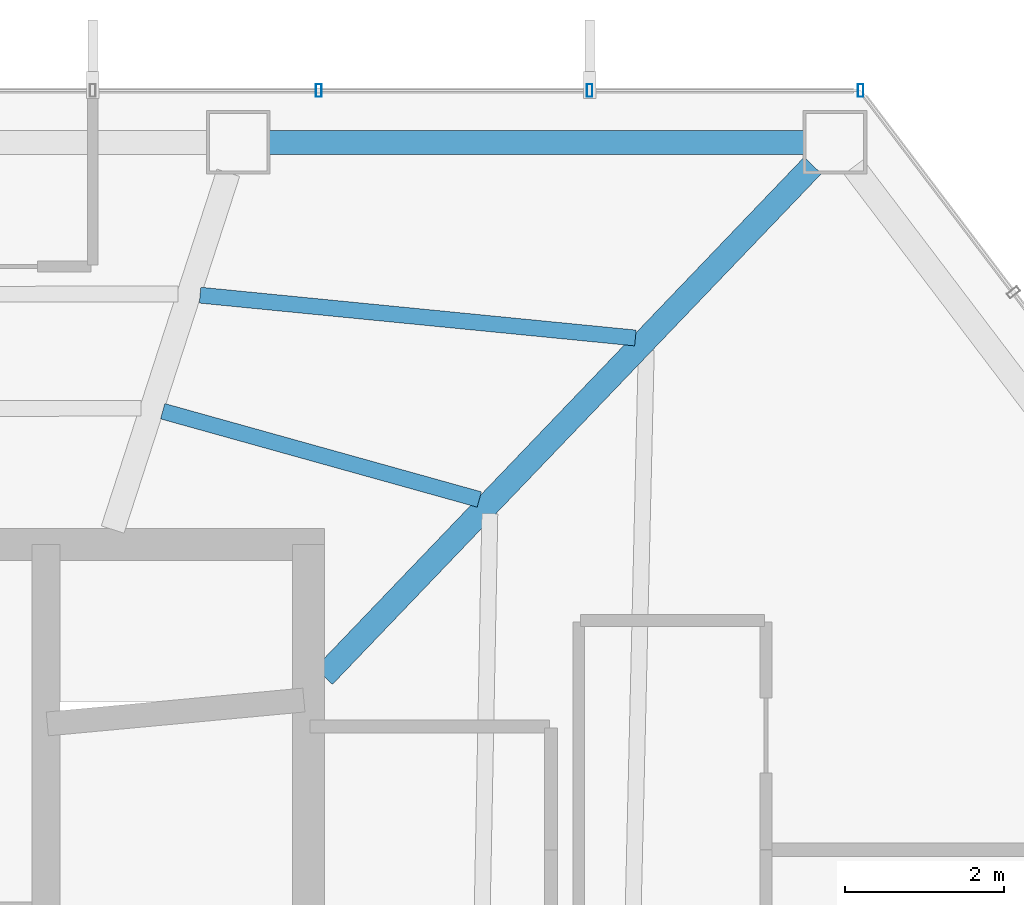
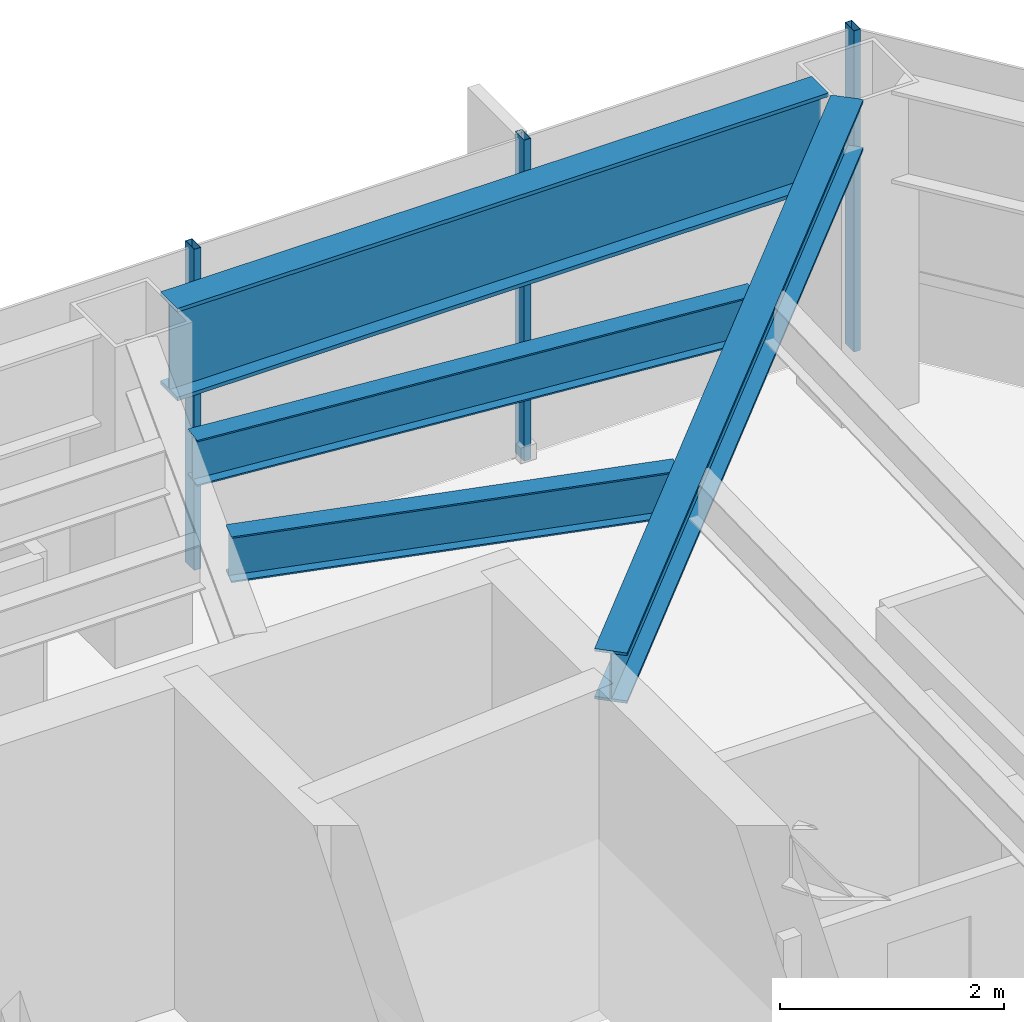
# One storey, part 22 of 29: 4 beams, 3 members, 1 element without a shape of its own.
"""IFC4 building model written with IfcOpenShell, lengths in metres."""

from ifc_helpers import new_model, si_unit, direction, frame, origin, origin_2d, place, context, subcontext, project, spatial, hollow_rectangle, i_section, extrude, material, layer, layer_set, material_profile, profile_set, type_object, element, aggregate, save


model = new_model("IFC4")

# Units and contexts
model_context = context("Model", 3, precision=1e-05, world=origin(), true_north=direction((0.0, 1.0)))
body_context = subcontext(model_context, "Body", "Model", "MODEL_VIEW")
ifc_project = project(units=[si_unit("LENGTHUNIT", "METRE"), si_unit("AREAUNIT", "SQUARE_METRE"), si_unit("VOLUMEUNIT", "CUBIC_METRE"), si_unit("PLANEANGLEUNIT", "RADIAN"), si_unit("MASSUNIT", "GRAM", prefix="KILO")], contexts=[model_context])

# Site, building, storey
site_placement = place(None, origin())
site = spatial("IfcSite", under=ifc_project, at=site_placement, CompositionType="ELEMENT")
building_placement = place(site_placement, origin())
building = spatial("IfcBuilding", under=site, at=building_placement, Name="Zarrinselat Tower", CompositionType="ELEMENT")
storey_placement = place(building_placement, frame((0.0, 0.0, 134.639892578125)))
storey = spatial("IfcBuildingStorey", under=building, at=storey_placement, Name="L32", CompositionType="ELEMENT", Elevation=134.639892578125)

# Beams
ifc_material_1 = material(Name="Steel S355J2", Category="steel")
ifc_material_profile_1 = material_profile(ifc_material_1, i_section(OverallWidth=0.300048828125, OverallDepth=0.550048828125, WebThickness=0.014892578125, FlangeThickness=0.029052734375, at=origin_2d()), Name="HEB 550")
ifc_profile_set_1 = profile_set([ifc_material_profile_1], Name="Steel S355J2")
beam_type_1 = type_object("IfcBeamType", Name="BM-HEB550", PredefinedType="BEAM", material=ifc_profile_set_1)
beam_1_placement = place(storey_placement, frame((48.449951171875, 41.800048828125, 3.22509765625), z_axis=(0.691574247742, 0.722305378535, 0.0), x_axis=(-0.722305378535, 0.691574247742, 0.0)))
element("IfcBeam", 1, at=beam_1_placement, inside=storey, type_object=beam_type_1, Name="L32 Radial Primary Girder RG01", PredefinedType="BEAM", context=body_context, shape_type="SweptSolid", body=[
    extrude(i_section(OverallWidth=0.300048828125, OverallDepth=0.550048828125, WebThickness=0.014892578125, FlangeThickness=0.029052734375, at=origin_2d()), origin(), (0.0, 0.0, 1.0), 8.8740234375),
])
ifc_material_2 = material(Name="Steel S460M", Category="steel")
ifc_material_profile_2 = material_profile(ifc_material_2, i_section(OverallWidth=0.302001953125, OverallDepth=1.008056640625, WebThickness=0.02099609375, FlangeThickness=0.0400390625, at=origin_2d()), Name="HEM 1000")
ifc_profile_set_2 = profile_set([ifc_material_profile_2], Name="Steel S460M")
beam_type_2 = type_object("IfcBeamType", Name="BM-HEM1000", PredefinedType="BEAM", material=ifc_profile_set_2)
beam_2_placement = place(storey_placement, frame((47.762939453125, 48.5, 2.99609375), z_axis=(1.0, 0.0, 0.0), x_axis=(0.0, 1.0, 0.0)))
element("IfcBeam", 2, at=beam_2_placement, inside=storey, type_object=beam_type_2, Name="L32 Perimeter Spandrel Girder SP01", PredefinedType="BEAM", context=body_context, shape_type="SweptSolid", body=[
    extrude(i_section(OverallWidth=0.302001953125, OverallDepth=1.008056640625, WebThickness=0.02099609375, FlangeThickness=0.0400390625, at=origin_2d()), origin(), (0.0, 0.0, 1.0), 6.714111328125),
])
ifc_material_3 = material(Name="Steel S355J2", Category="steel")
ifc_material_profile_3 = material_profile(ifc_material_3, i_section(OverallWidth=0.199951171875, OverallDepth=0.5, WebThickness=0.01025390625, FlangeThickness=0.01611328125, at=origin_2d()), Name="IPE 500")
ifc_profile_set_3 = profile_set([ifc_material_profile_3], Name="Steel S355J2")
beam_type_3 = type_object("IfcBeamType", Name="BM-IPE500", PredefinedType="JOIST", material=ifc_profile_set_3)
beam_3_placement = place(storey_placement, frame((46.89697265625, 46.58154296875, 3.25), z_axis=(0.995194854062, -0.097914260696, 0.0), x_axis=(0.097914260696, 0.995194854062, 0.0)))
element("IfcBeam", 3, at=beam_3_placement, inside=storey, type_object=beam_type_3, Name="L32 Composite Floor Joist 6-1", PredefinedType="JOIST", context=body_context, shape_type="SweptSolid", body=[
    extrude(i_section(OverallWidth=0.199951171875, OverallDepth=0.5, WebThickness=0.01025390625, FlangeThickness=0.01611328125, at=origin_2d()), origin(), (0.0, 0.0, 1.0), 5.490478515625),
])
beam_4_placement = place(storey_placement, frame((46.42822265625, 45.124755859375, 3.25), z_axis=(0.963255434512, -0.268586983829, 0.0), x_axis=(0.268586983829, 0.963255434512, 0.0)))
element("IfcBeam", 4, at=beam_4_placement, inside=storey, type_object=beam_type_3, Name="L32 Composite Floor Joist 6-2", PredefinedType="JOIST", context=body_context, shape_type="SweptSolid", body=[
    extrude(i_section(OverallWidth=0.199951171875, OverallDepth=0.5, WebThickness=0.01025390625, FlangeThickness=0.01611328125, at=origin_2d()), origin(), (0.0, 0.0, 1.0), 4.125),
])

# Curtain wall, members
ifc_material_4 = material(Name="Extruded Aluminium Alloy EN AW-6063 T6", Category="aluminium")
ifc_layer = layer(ifc_material_4, 0.175048828125)
ifc_layer_set = layer_set([ifc_layer], Name="Extruded Aluminium Alloy EN AW-6063 T6")
curtain_wall_type = type_object("IfcCurtainWallType", Name="CWS-HTL", PredefinedType="NOTDEFINED", material=ifc_layer_set)
curtain_wall_placement = place(storey_placement, origin())
curtain_wall = element("IfcCurtainWall", 5, at=curtain_wall_placement, inside=storey, type_object=curtain_wall_type, Name="L32 Unitised Curtain Wall CW-L32-E01", PredefinedType="NOTDEFINED")
ifc_material_5 = material(Name="Extruded Aluminium Alloy EN AW-6063 T6", Category="aluminium")
ifc_material_profile_4 = material_profile(ifc_material_5, hollow_rectangle(XDim=0.070068359375, YDim=0.159912109375, WallThickness=0.00390625, at=origin_2d()), Name="RHS 160x70x4")
ifc_profile_set_4 = profile_set([ifc_material_profile_4], Name="Extruded Aluminium Alloy EN AW-6063 T6")
member_type = type_object("IfcMemberType", Name="MEM-CW-MUL2", PredefinedType="MULLION", material=ifc_profile_set_4)
member_1_placement = place(storey_placement, frame((55.18798828125, 49.14990234375, 0.0), z_axis=(0.0, 0.0, 1.0), x_axis=(-1.0, 0.0, 0.0)))
member_1 = element("IfcMember", 6, at=member_1_placement, type_object=member_type, Name="CW-L32-E01 Mullion 0", PredefinedType="MULLION", context=body_context, shape_type="SweptSolid", body=[
    extrude(hollow_rectangle(XDim=0.070068359375, YDim=0.159912109375, WallThickness=0.00390625, at=origin_2d()), origin(), (0.0, 0.0, 1.0), 3.5),
])
member_2_placement = place(storey_placement, frame((51.787353515625, 49.14990234375, 0.0), z_axis=(0.0, 0.0, 1.0), x_axis=(-1.0, 0.0, 0.0)))
member_2 = element("IfcMember", 7, at=member_2_placement, type_object=member_type, Name="CW-L32-E01 Mullion 1", PredefinedType="MULLION", context=body_context, shape_type="SweptSolid", body=[
    extrude(hollow_rectangle(XDim=0.070068359375, YDim=0.159912109375, WallThickness=0.00390625, at=origin_2d()), origin(), (0.0, 0.0, 1.0), 3.5),
])
member_3_placement = place(storey_placement, frame((48.386474609375, 49.14990234375, 0.0), z_axis=(0.0, 0.0, 1.0), x_axis=(-1.0, 0.0, 0.0)))
member_3 = element("IfcMember", 8, at=member_3_placement, type_object=member_type, Name="CW-L32-E01 Mullion 2", PredefinedType="MULLION", context=body_context, shape_type="SweptSolid", body=[
    extrude(hollow_rectangle(XDim=0.070068359375, YDim=0.159912109375, WallThickness=0.00390625, at=origin_2d()), origin(), (0.0, 0.0, 1.0), 3.5),
])
aggregate(curtain_wall, [member_1, member_2, member_3])

save(model, "model.ifc")
